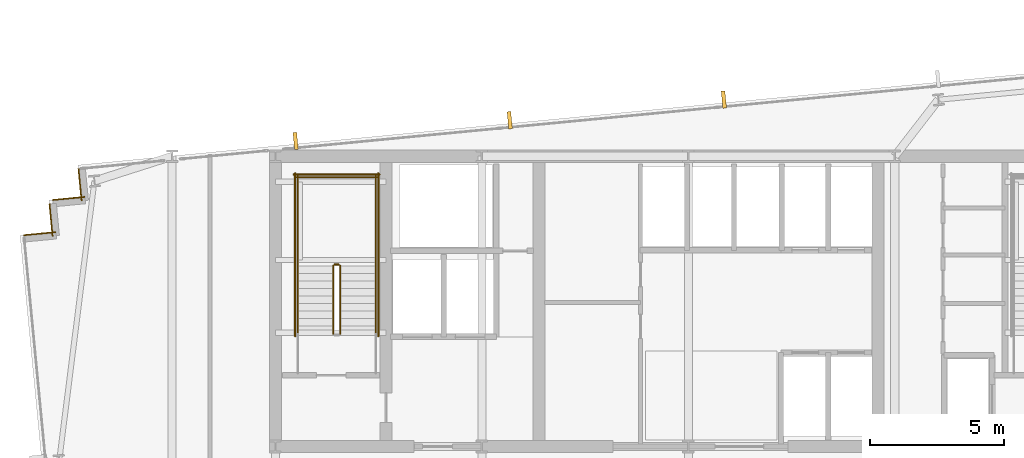
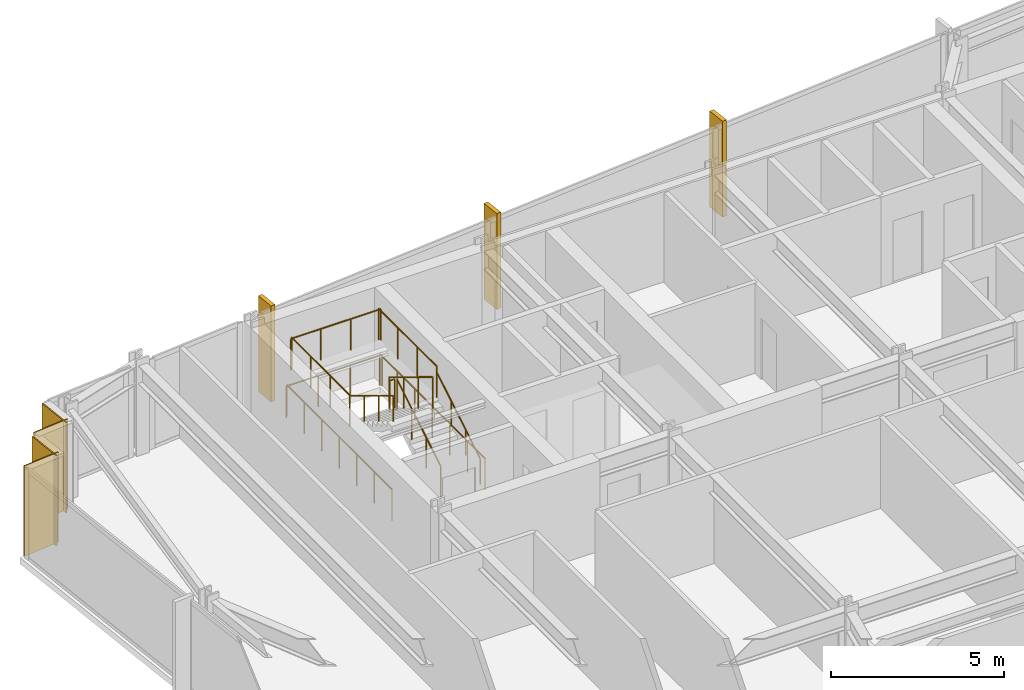
# One storey, part 32 of 33: 11 railings, 4 coverings, 3 shading devices.
"""IFC4 building model written with IfcOpenShell, lengths in metres."""

from ifc_helpers import new_model, si_unit, direction, frame, frame_2d, origin, origin_2d, place, context, subcontext, project, spatial, rectangle, circle, extrude, material, layer, layer_set, type_object, element, save


model = new_model("IFC4")

# Units and contexts
model_context = context("Model", 3, precision=1e-05, world=origin(), true_north=direction((0.0, 1.0)))
body_context = subcontext(model_context, "Body", "Model", "MODEL_VIEW")
ifc_project = project(units=[si_unit("LENGTHUNIT", "METRE"), si_unit("AREAUNIT", "SQUARE_METRE"), si_unit("VOLUMEUNIT", "CUBIC_METRE"), si_unit("PLANEANGLEUNIT", "RADIAN"), si_unit("MASSUNIT", "GRAM", prefix="KILO")], contexts=[model_context])

# Site, building, storey
site_placement = place(None, origin())
site = spatial("IfcSite", under=ifc_project, at=site_placement, CompositionType="ELEMENT")
building_placement = place(site_placement, origin())
building = spatial("IfcBuilding", under=site, at=building_placement, Name="Yelkora Congress Tower", CompositionType="ELEMENT")
storey_placement = place(building_placement, frame((0.0, 0.0, 123.699951171875)))
storey = spatial("IfcBuildingStorey", under=building, at=storey_placement, Name="L33", CompositionType="ELEMENT", Elevation=123.699951171875)

# Coverings
ifc_material_1 = material(Name="Anatolian bush-hammered limestone", Category="masonry")
ifc_layer_1 = layer(ifc_material_1, 0.0400390625)
ifc_layer_set_1 = layer_set([ifc_layer_1], Name="Anatolian bush-hammered limestone")
covering_type = type_object("IfcCoveringType", Name="COV-CLAD-SPANDREL-40", PredefinedType="CLADDING", material=ifc_layer_set_1)
for number, where, z_axis, x_axis, name in (
    (1, (13.677978515625, 43.260986328125, 0.0), (0.0, 0.0, 1.0), (0.995397091755, 0.095836473879, 0.0), "L33 Anatolian Limestone Cladding EW-L33-SR06"),
    (2, (14.7509765625, 43.228759765625, 0.0), (0.0, 0.0, 1.0), (-0.095836473879, 0.995397091755, 0.0), "L33 Anatolian Limestone Cladding EW-L33-SR07"),
):
    element("IfcCovering", number, at=place(storey_placement, frame(where, z_axis=z_axis, x_axis=x_axis)), inside=storey, type_object=covering_type, Name=name, PredefinedType="CLADDING", context=body_context, shape_type="SweptSolid", body=[
        extrude(rectangle(XDim=1.199951171875, YDim=0.0400390625, at=frame_2d((0.60009765625, 0.0))), origin(), (0.0, 0.0, 1.0), 3.179931640625),
    ])
for number, where, z_axis, x_axis, name in (
    (3, (14.75732421875, 44.570556640625, 0.0), (0.0, 0.0, 1.0), (0.995398960025, 0.095817067274, 0.0), "L33 Anatolian Limestone Cladding EW-L33-SR08"),
    (4, (15.830322265625, 44.5380859375, 0.0), (0.0, 0.0, 1.0), (-0.095817067274, 0.995398960025, 0.0), "L33 Anatolian Limestone Cladding EW-L33-SR09"),
):
    element("IfcCovering", number, at=place(storey_placement, frame(where, z_axis=z_axis, x_axis=x_axis)), inside=storey, type_object=covering_type, Name=name, PredefinedType="CLADDING", context=body_context, shape_type="SweptSolid", body=[
        extrude(rectangle(XDim=1.2001953125, YDim=0.0400390625, at=frame_2d((0.60009765625, 0.0))), origin(), (0.0, 0.0, 1.0), 3.179931640625),
    ])

# Railings
ifc_material_2 = material(Name="Painted galvanised steel stair well guard with vertical infill", Category="steel")
ifc_layer_2 = layer(ifc_material_2, 0.06005859375)
ifc_layer_set_2 = layer_set([ifc_layer_2], Name="Painted galvanised steel stair well guard with vertical infill")
railing_type_1 = type_object("IfcRailingType", Name="RAIL-STAIR-GUARD-1120", PredefinedType="GUARDRAIL", material=ifc_layer_set_2)
railing_1_placement = place(storey_placement, frame((25.449951171875, 39.60009765625, 0.170166015625)))
element("IfcRailing", 5, at=railing_1_placement, inside=storey, type_object=railing_type_1, Name="ST-01 L33 Stair Well Guardrail 1", PredefinedType="GUARDRAIL", context=body_context, shape_type="SweptSolid", body=[
    extrude(circle(Radius=0.02392578125, at=origin_2d()), frame((0.0, 0.0, 1.09619140625), z_axis=(0.0, 0.854821627497, 0.518921945155), x_axis=(-1.0, 0.0, 0.0)), (0.0, 0.0, 1.0), 2.947998046875),
    extrude(circle(Radius=0.02099609375, at=origin_2d()), origin(), (0.0, 0.0, 1.0), 1.072021484375),
    extrude(circle(Radius=0.02099609375, at=origin_2d()), frame((0.0, 0.840087890625, 0.510009765625)), (0.0, 0.0, 1.0), 1.072021484375),
    extrude(circle(Radius=0.02099609375, at=origin_2d()), frame((0.0, 1.679931640625, 1.019775390625)), (0.0, 0.0, 1.0), 1.072021484375),
    extrude(circle(Radius=0.02099609375, at=origin_2d()), frame((0.0, 2.52001953125, 1.52978515625)), (0.0, 0.0, 1.0), 1.072021484375),
])
railing_2_placement = place(storey_placement, frame((25.39990234375, 42.169921875, 1.699951171875)))
element("IfcRailing", 6, at=railing_2_placement, inside=storey, type_object=railing_type_1, Name="ST-01 L33 Stair Well Guardrail 2", PredefinedType="GUARDRAIL", context=body_context, shape_type="SweptSolid", body=[
    extrude(circle(Radius=0.02392578125, at=origin_2d()), frame((0.0, 0.0, 1.09619140625), z_axis=(-1.0, 0.0, 0.0), x_axis=(0.0, -1.0, 0.0)), (0.0, 0.0, 1.0), 0.159912109375),
    extrude(circle(Radius=0.02099609375, at=origin_2d()), origin(), (0.0, 0.0, 1.0), 1.072021484375),
    extrude(circle(Radius=0.02099609375, at=origin_2d()), frame((-0.159912109375, 0.0, 0.0)), (0.0, 0.0, 1.0), 1.072021484375),
])
for number, where, name in (
    (7, (26.77001953125, 42.1201171875, 1.699951171875), "ST-01 L33 Stair Well Guardrail 3"),
    (8, (23.8701171875, 42.1201171875, 1.699951171875), "ST-01 L33 Stair Well Guardrail 4"),
):
    element("IfcRailing", number, at=place(storey_placement, frame(where)), inside=storey, type_object=railing_type_1, Name=name, PredefinedType="GUARDRAIL", context=body_context, shape_type="SweptSolid", body=[
        extrude(circle(Radius=0.02392578125, at=origin_2d()), frame((0.0, 0.0, 1.09619140625), z_axis=(0.0, 1.0, 0.0), x_axis=(-1.0, 0.0, 0.0)), (0.0, 0.0, 1.0), 3.349853515625),
        extrude(circle(Radius=0.02099609375, at=origin_2d()), origin(), (0.0, 0.0, 1.0), 1.072021484375),
        extrude(circle(Radius=0.02099609375, at=origin_2d()), frame((0.0, 1.11669921875, 0.0)), (0.0, 0.0, 1.0), 1.072021484375),
        extrude(circle(Radius=0.02099609375, at=origin_2d()), frame((0.0, 2.233154296875, 0.0)), (0.0, 0.0, 1.0), 1.072021484375),
        extrude(circle(Radius=0.02099609375, at=origin_2d()), frame((0.0, 3.349853515625, 0.0)), (0.0, 0.0, 1.0), 1.072021484375),
    ])
railing_3_placement = place(storey_placement, frame((26.820068359375, 45.419921875, 1.699951171875)))
element("IfcRailing", 9, at=railing_3_placement, inside=storey, type_object=railing_type_1, Name="ST-01 L33 Stair Well Guardrail 5", PredefinedType="GUARDRAIL", context=body_context, shape_type="SweptSolid", body=[
    extrude(circle(Radius=0.02392578125, at=origin_2d()), frame((0.0, 0.0, 1.09619140625), z_axis=(-1.0, 0.0, 0.0), x_axis=(0.0, -1.0, 0.0)), (0.0, 0.0, 1.0), 3.0),
    extrude(circle(Radius=0.02099609375, at=origin_2d()), origin(), (0.0, 0.0, 1.0), 1.072021484375),
    extrude(circle(Radius=0.02099609375, at=origin_2d()), frame((-1.0, 0.0, 0.0)), (0.0, 0.0, 1.0), 1.072021484375),
    extrude(circle(Radius=0.02099609375, at=origin_2d()), frame((-2.0, 0.0, 0.0)), (0.0, 0.0, 1.0), 1.072021484375),
    extrude(circle(Radius=0.02099609375, at=origin_2d()), frame((-3.0, 0.0, 0.0)), (0.0, 0.0, 1.0), 1.072021484375),
])
railing_4_placement = place(storey_placement, frame((25.18994140625, 42.1201171875, 1.8701171875)))
element("IfcRailing", 10, at=railing_4_placement, inside=storey, type_object=railing_type_1, Name="ST-01 L33 Stair Well Guardrail 6", PredefinedType="GUARDRAIL", context=body_context, shape_type="SweptSolid", body=[
    extrude(circle(Radius=0.02392578125, at=origin_2d()), frame((0.0, 0.0, 1.09619140625), z_axis=(0.0, -0.85478489116, 0.518982456201), x_axis=(1.0, 0.0, 0.0)), (0.0, 0.0, 1.0), 2.9482421875),
    extrude(circle(Radius=0.02099609375, at=origin_2d()), origin(), (0.0, 0.0, 1.0), 1.072021484375),
    extrude(circle(Radius=0.02099609375, at=origin_2d()), frame((0.0, -0.840087890625, 0.510009765625)), (0.0, 0.0, 1.0), 1.072021484375),
    extrude(circle(Radius=0.02099609375, at=origin_2d()), frame((0.0, -1.679931640625, 1.02001953125)), (0.0, 0.0, 1.0), 1.072021484375),
    extrude(circle(Radius=0.02099609375, at=origin_2d()), frame((0.0, -2.52001953125, 1.530029296875)), (0.0, 0.0, 1.0), 1.072021484375),
])
for number, where, name in (
    (11, (26.8701171875, 39.5, 0.0), "ST-01 L33 Stair Well Guardrail 10"),
    (12, (23.77001953125, 39.5, 0.0), "ST-01 L33 Stair Well Guardrail 11"),
):
    element("IfcRailing", number, at=place(storey_placement, frame(where)), inside=storey, type_object=railing_type_1, Name=name, PredefinedType="GUARDRAIL", context=body_context, shape_type="SweptSolid", body=[
        extrude(circle(Radius=0.02392578125, at=origin_2d()), frame((0.0, 0.0, 1.09619140625), z_axis=(0.0, 1.0, 0.0), x_axis=(-1.0, 0.0, 0.0)), (0.0, 0.0, 1.0), 6.070068359375),
        extrude(circle(Radius=0.02099609375, at=origin_2d()), origin(), (0.0, 0.0, 1.0), 1.072021484375),
        extrude(circle(Radius=0.02099609375, at=origin_2d()), frame((0.0, 1.01171875, 0.0)), (0.0, 0.0, 1.0), 1.072021484375),
        extrude(circle(Radius=0.02099609375, at=origin_2d()), frame((0.0, 2.0234375, 0.0)), (0.0, 0.0, 1.0), 1.072021484375),
        extrude(circle(Radius=0.02099609375, at=origin_2d()), frame((0.0, 3.03515625, 0.0)), (0.0, 0.0, 1.0), 1.072021484375),
        extrude(circle(Radius=0.02099609375, at=origin_2d()), frame((0.0, 4.046630859375, 0.0)), (0.0, 0.0, 1.0), 1.072021484375),
        extrude(circle(Radius=0.02099609375, at=origin_2d()), frame((0.0, 5.058349609375, 0.0)), (0.0, 0.0, 1.0), 1.072021484375),
        extrude(circle(Radius=0.02099609375, at=origin_2d()), frame((0.0, 6.070068359375, 0.0)), (0.0, 0.0, 1.0), 1.072021484375),
    ])
railing_5_placement = place(storey_placement, frame((26.919921875, 45.52001953125, 0.0)))
element("IfcRailing", 13, at=railing_5_placement, inside=storey, type_object=railing_type_1, Name="ST-01 L33 Stair Well Guardrail 12", PredefinedType="GUARDRAIL", context=body_context, shape_type="SweptSolid", body=[
    extrude(circle(Radius=0.02392578125, at=origin_2d()), frame((0.0, 0.0, 1.09619140625), z_axis=(-1.0, 0.0, 0.0), x_axis=(0.0, -1.0, 0.0)), (0.0, 0.0, 1.0), 3.199951171875),
    extrude(circle(Radius=0.02099609375, at=origin_2d()), origin(), (0.0, 0.0, 1.0), 1.072021484375),
    extrude(circle(Radius=0.02099609375, at=origin_2d()), frame((-1.066650390625, 0.0, 0.0)), (0.0, 0.0, 1.0), 1.072021484375),
    extrude(circle(Radius=0.02099609375, at=origin_2d()), frame((-2.13330078125, 0.0, 0.0)), (0.0, 0.0, 1.0), 1.072021484375),
    extrude(circle(Radius=0.02099609375, at=origin_2d()), frame((-3.199951171875, 0.0, 0.0)), (0.0, 0.0, 1.0), 1.072021484375),
])
ifc_material_3 = material(Name="Brushed stainless steel tubular handrail", Category="steel")
ifc_layer_3 = layer(ifc_material_3, 0.050048828125)
ifc_layer_set_3 = layer_set([ifc_layer_3], Name="Brushed stainless steel tubular handrail")
railing_type_2 = type_object("IfcRailingType", Name="RAIL-STAIR-HAND-920", PredefinedType="HANDRAIL", material=ifc_layer_set_3)
railing_6_placement = place(storey_placement, frame((26.77001953125, 39.60009765625, 0.170166015625)))
element("IfcRailing", 14, at=railing_6_placement, inside=storey, type_object=railing_type_2, Name="ST-01 L33 Pitch Handrail 1", PredefinedType="HANDRAIL", context=body_context, shape_type="SweptSolid", body=[
    extrude(circle(Radius=0.02392578125, at=origin_2d()), frame((0.0, 0.0, 0.89599609375), z_axis=(0.0, 0.854821627497, 0.518921945155), x_axis=(-1.0, 0.0, 0.0)), (0.0, 0.0, 1.0), 2.947998046875),
    extrude(circle(Radius=0.02099609375, at=origin_2d()), origin(), (0.0, 0.0, 1.0), 0.871826171875),
    extrude(circle(Radius=0.02099609375, at=origin_2d()), frame((0.0, 0.840087890625, 0.510009765625)), (0.0, 0.0, 1.0), 0.871826171875),
    extrude(circle(Radius=0.02099609375, at=origin_2d()), frame((0.0, 1.679931640625, 1.019775390625)), (0.0, 0.0, 1.0), 0.871826171875),
    extrude(circle(Radius=0.02099609375, at=origin_2d()), frame((0.0, 2.52001953125, 1.52978515625)), (0.0, 0.0, 1.0), 0.871826171875),
])
railing_7_placement = place(storey_placement, frame((23.8701171875, 42.1201171875, 1.8701171875)))
element("IfcRailing", 15, at=railing_7_placement, inside=storey, type_object=railing_type_2, Name="ST-01 L33 Pitch Handrail 2", PredefinedType="HANDRAIL", context=body_context, shape_type="SweptSolid", body=[
    extrude(circle(Radius=0.02392578125, at=origin_2d()), frame((0.0, 0.0, 0.89599609375), z_axis=(0.0, -0.85478489116, 0.518982456201), x_axis=(1.0, 0.0, 0.0)), (0.0, 0.0, 1.0), 2.9482421875),
    extrude(circle(Radius=0.02099609375, at=origin_2d()), origin(), (0.0, 0.0, 1.0), 0.871826171875),
    extrude(circle(Radius=0.02099609375, at=origin_2d()), frame((0.0, -0.840087890625, 0.510009765625)), (0.0, 0.0, 1.0), 0.871826171875),
    extrude(circle(Radius=0.02099609375, at=origin_2d()), frame((0.0, -1.679931640625, 1.02001953125)), (0.0, 0.0, 1.0), 0.871826171875),
    extrude(circle(Radius=0.02099609375, at=origin_2d()), frame((0.0, -2.52001953125, 1.530029296875)), (0.0, 0.0, 1.0), 0.871826171875),
])

# Shading devices
ifc_material_4 = material(Name="Champagne anodised aluminium", Category="aluminium")
ifc_layer_4 = layer(ifc_material_4, 3.39990234375)
ifc_layer_set_4 = layer_set([ifc_layer_4], Name="Champagne anodised aluminium")
shading_device_type = type_object("IfcShadingDeviceType", Name="SHD-FIN-ALU-640", PredefinedType="USERDEFINED", material=ifc_layer_set_4)
for number, where, z_axis, x_axis, name in (
    (16, (23.791015625, 46.771484375, -0.02978515625), (0.0, 0.0, 1.0), (0.995396198367, 0.09584575252, 0.0), "L33 Vertical Anodised Solar Fin 10-1"),
    (17, (31.7568359375, 47.53857421875, -0.02978515625), (0.0, 0.0, 1.0), (0.995396198367, 0.09584575252, 0.0), "L33 Vertical Anodised Solar Fin 10-2"),
    (18, (39.722900390625, 48.3056640625, -0.02978515625), (0.0, 0.0, 1.0), (0.995396198367, 0.09584575252, 0.0), "L33 Vertical Anodised Solar Fin 10-3"),
):
    element("IfcShadingDevice", number, at=place(storey_placement, frame(where, z_axis=z_axis, x_axis=x_axis)), inside=storey, type_object=shading_device_type, Name=name, ObjectType="FIN", PredefinedType="USERDEFINED", context=body_context, shape_type="SweptSolid", body=[
        extrude(rectangle(XDim=0.139892578125, YDim=0.639892578125, at=origin_2d()), origin(), (0.0, 0.0, 1.0), 3.3798828125),
    ])

save(model, "model.ifc")
